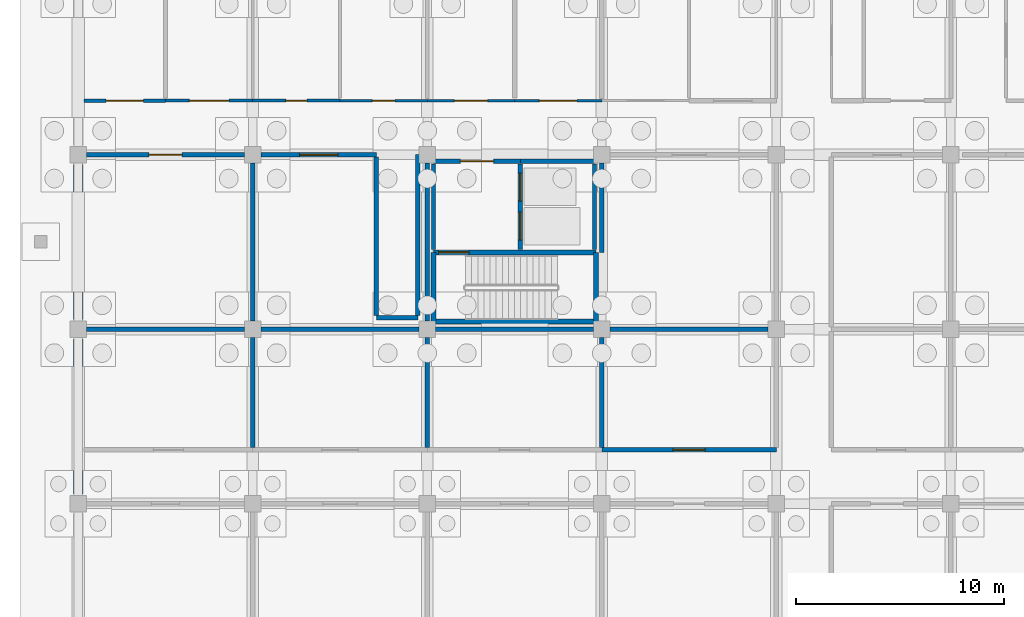
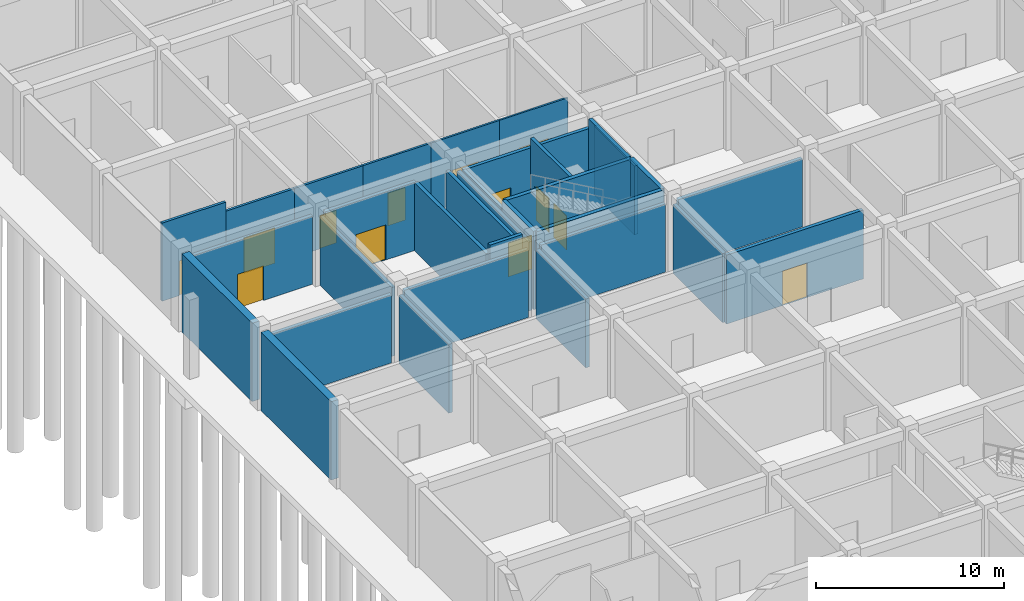
# One storey, part 30 of 65: 33 walls, 13 doors, 13 openings.
"""IFC4 building model written with IfcOpenShell, lengths in metres."""

from ifc_helpers import new_model, si_unit, direction, frame, frame_2d, origin, place, context, subcontext, project, spatial, rectangle, extrude, material, layer, layer_set, type_object, element, fill, save


model = new_model("IFC4")

# Units and contexts
model_context = context("Model", 3, precision=1e-05, world=origin(), true_north=direction((0.0, 1.0)))
body_context = subcontext(model_context, "Body", "Model", "MODEL_VIEW")
ifc_project = project(units=[si_unit("LENGTHUNIT", "METRE"), si_unit("AREAUNIT", "SQUARE_METRE"), si_unit("VOLUMEUNIT", "CUBIC_METRE"), si_unit("PLANEANGLEUNIT", "RADIAN"), si_unit("MASSUNIT", "GRAM", prefix="KILO")], contexts=[model_context])

# Site, building, storey
site_placement = place(None, origin())
site = spatial("IfcSite", under=ifc_project, at=site_placement, CompositionType="ELEMENT")
building_placement = place(site_placement, origin())
building = spatial("IfcBuilding", under=site, at=building_placement, Name="Bramfleet General Hospital", CompositionType="ELEMENT")
storey_placement = place(building_placement, frame((0.0, 0.0, -5.39990234375)))
storey = spatial("IfcBuildingStorey", under=building, at=storey_placement, Name="B1", CompositionType="ELEMENT", Elevation=-5.39990234375)

# Walls
ifc_material_1 = material(Name="Concrete C35/45", Category="concrete")
ifc_layer_1 = layer(ifc_material_1, 0.449951171875, Name="WT-EW-01")
ifc_layer_set_1 = layer_set([ifc_layer_1], Name="Concrete C35/45")
wall_type_1 = type_object("IfcWallType", Name="WT-EW-01", PredefinedType="SOLIDWALL", material=ifc_layer_set_1)
for number, where, z_axis, x_axis, name in (
    (1, (0.0, 42.47509765625, 0.0), (0.0, 0.0, 1.0), (0.0, 1.0, 0.0), "B1 Waterproof Retaining Wall 95"),
    (2, (0.0, 50.875, 0.0), (0.0, 0.0, 1.0), (0.0, 1.0, 0.0), "B1 Waterproof Retaining Wall 96"),
):
    element("IfcWall", number, at=place(storey_placement, frame(where, z_axis=z_axis, x_axis=x_axis)), inside=storey, type_object=wall_type_1, Name=name, PredefinedType="SOLIDWALL", context=body_context, shape_type="SweptSolid", body=[
        extrude(rectangle(XDim=7.449951171875, YDim=0.449951171875, at=frame_2d((3.72509765625, 0.0))), origin(), (0.0, 0.0, 1.0), 5.079833984375),
    ])

# Wall, opening, door
ifc_layer_2 = layer(ifc_material_1, 0.219970703125, Name="WT-IW-01")
ifc_layer_set_2 = layer_set([ifc_layer_2], Name="Concrete C35/45")
wall_type_2 = type_object("IfcWallType", Name="WT-IW-01", PredefinedType="PARTITIONING", material=ifc_layer_set_2)
wall_1_placement = place(storey_placement, frame((25.199951171875, 44.60009765625, 0.0), z_axis=(0.0, 0.0, 1.0), x_axis=(1.0, 0.0, 0.0)))
wall_1 = element("IfcWall", 3, at=wall_1_placement, inside=storey, type_object=wall_type_2, Name="B1 Interior Partition IW-B1-0136", PredefinedType="PARTITIONING", context=body_context, shape_type="SweptSolid", body=[
    extrude(rectangle(XDim=8.400146484375, YDim=0.219970703125, at=frame_2d((4.2001953125, 0.0))), origin(), (0.0, 0.0, 1.0), 4.469970703125),
])
opening_1_placement = place(wall_1_placement, frame((3.429931640625, 0.0, 0.0)))
opening_1 = element("IfcOpeningElement", 4, at=opening_1_placement, cuts=wall_1, Name="Opening D0241", PredefinedType="OPENING", context=body_context, shape_type="SweptSolid", body=[
    extrude(rectangle(XDim=1.5400390625, YDim=2.239990234375, at=frame_2d((0.77001953125, 1.1201171875))), frame((0.0, 0.119873046875, 0.0), z_axis=(0.0, -1.0, 0.0), x_axis=(1.0, 0.0, 0.0)), (0.0, 0.0, 1.0), 0.239990234375),
])
ifc_material_2 = material(Name="Stainless steel and acoustic timber leaf", Category="steel")
door_type_1 = type_object("IfcDoorType", Name="DR-D-17", OperationType="NOTDEFINED", PredefinedType="DOOR", material=ifc_material_2)
door_1_placement = place(opening_1_placement, origin())
door_1 = element("IfcDoor", 5, at=door_1_placement, inside=storey, type_object=door_type_1, Name="Central Sterile Supply Room B1-0305 Door D0241", OperationType="SINGLE_SWING_RIGHT", OverallHeight=2.239990234375, OverallWidth=1.5400390625, PredefinedType="DOOR", context=body_context, shape_type="SweptSolid", body=[
    extrude(rectangle(XDim=1.5400390625, YDim=2.239990234375, at=frame_2d((0.77001953125, 1.1201171875))), frame((0.0, 0.02490234375, 0.0), z_axis=(0.0, -1.0, 0.0), x_axis=(1.0, 0.0, 0.0)), (0.0, 0.0, 1.0), 0.050048828125),
])
fill(opening_1, door_1)

# Walls
wall_2_placement = place(storey_placement, frame((0.39501953125, 50.39990234375, 0.0), z_axis=(0.0, 0.0, 1.0), x_axis=(1.0, 0.0, 0.0)))
element("IfcWall", 6, at=wall_2_placement, inside=storey, type_object=wall_type_2, Name="B1 Interior Partition IW-B1-0142", PredefinedType="PARTITIONING", context=body_context, shape_type="SweptSolid", body=[
    extrude(rectangle(XDim=7.60986328125, YDim=0.219970703125, at=frame_2d((3.804931640625, 0.0))), origin(), (0.0, 0.0, 1.0), 4.419921875),
])
wall_3_placement = place(storey_placement, frame((8.794921875, 50.39990234375, 0.0), z_axis=(0.0, 0.0, 1.0), x_axis=(1.0, 0.0, 0.0)))
element("IfcWall", 7, at=wall_3_placement, inside=storey, type_object=wall_type_2, Name="B1 Interior Partition IW-B1-0143", PredefinedType="PARTITIONING", context=body_context, shape_type="SweptSolid", body=[
    extrude(rectangle(XDim=7.610107421875, YDim=0.219970703125, at=frame_2d((3.80517578125, 0.0))), origin(), (0.0, 0.0, 1.0), 4.419921875),
])
wall_4_placement = place(storey_placement, frame((17.195068359375, 50.39990234375, 0.0), z_axis=(0.0, 0.0, 1.0), x_axis=(1.0, 0.0, 0.0)))
element("IfcWall", 8, at=wall_4_placement, inside=storey, type_object=wall_type_2, Name="B1 Interior Partition IW-B1-0144", PredefinedType="PARTITIONING", context=body_context, shape_type="SweptSolid", body=[
    extrude(rectangle(XDim=7.60986328125, YDim=0.219970703125, at=frame_2d((3.804931640625, 0.0))), origin(), (0.0, 0.0, 1.0), 4.419921875),
])
wall_5_placement = place(storey_placement, frame((25.594970703125, 50.39990234375, 0.0), z_axis=(0.0, 0.0, 1.0), x_axis=(1.0, 0.0, 0.0)))
element("IfcWall", 9, at=wall_5_placement, inside=storey, type_object=wall_type_2, Name="B1 Interior Partition IW-B1-0145", PredefinedType="PARTITIONING", context=body_context, shape_type="SweptSolid", body=[
    extrude(rectangle(XDim=7.610107421875, YDim=0.219970703125, at=frame_2d((3.80517578125, 0.0))), origin(), (0.0, 0.0, 1.0), 4.419921875),
])
wall_6_placement = place(storey_placement, frame((14.35009765625, 50.949951171875, 0.0), z_axis=(0.0, 0.0, 1.0), x_axis=(1.0, 0.0, 0.0)))
element("IfcWall", 10, at=wall_6_placement, inside=storey, type_object=wall_type_2, Name="B1 Interior Partition IW-B1-0151", PredefinedType="PARTITIONING", context=body_context, shape_type="SweptSolid", body=[
    extrude(rectangle(XDim=2.0, YDim=0.219970703125, at=frame_2d((1.0, 0.0))), origin(), (0.0, 0.0, 1.0), 5.06982421875),
])

# Wall, opening, door
wall_7_placement = place(storey_placement, frame((0.39501953125, 58.800048828125, 0.0), z_axis=(0.0, 0.0, 1.0), x_axis=(1.0, 0.0, 0.0)))
wall_7 = element("IfcWall", 11, at=wall_7_placement, inside=storey, type_object=wall_type_2, Name="B1 Interior Partition IW-B1-0152", PredefinedType="PARTITIONING", context=body_context, shape_type="SweptSolid", body=[
    extrude(rectangle(XDim=7.60986328125, YDim=0.219970703125, at=frame_2d((3.804931640625, 0.0))), origin(), (0.0, 0.0, 1.0), 4.419921875),
])
opening_2_placement = place(wall_7_placement, frame((3.0048828125, 0.0, 0.0)))
opening_2 = element("IfcOpeningElement", 12, at=opening_2_placement, cuts=wall_7, Name="Opening D0196", PredefinedType="OPENING", context=body_context, shape_type="SweptSolid", body=[
    extrude(rectangle(XDim=1.60009765625, YDim=2.25, at=frame_2d((0.800048828125, 1.125))), frame((0.0, 0.119873046875, 0.0), z_axis=(0.0, -1.0, 0.0), x_axis=(1.0, 0.0, 0.0)), (0.0, 0.0, 1.0), 0.239990234375),
])
door_type_2 = type_object("IfcDoorType", Name="DR-D-04", OperationType="NOTDEFINED", PredefinedType="DOOR", material=ifc_material_2)
door_2_placement = place(opening_2_placement, origin())
door_2 = element("IfcDoor", 13, at=door_2_placement, inside=storey, type_object=door_type_2, Name="Central Sterile Supply Room B1-0006 Door D0196", OperationType="DOUBLE_SWING_LEFT", OverallHeight=2.25, OverallWidth=1.60009765625, PredefinedType="DOOR", context=body_context, shape_type="SweptSolid", body=[
    extrude(rectangle(XDim=1.60009765625, YDim=2.25, at=frame_2d((0.800048828125, 1.125))), frame((0.0, 0.02490234375, 0.0), z_axis=(0.0, -1.0, 0.0), x_axis=(1.0, 0.0, 0.0)), (0.0, 0.0, 1.0), 0.050048828125),
])
fill(opening_2, door_2)

wall_8_placement = place(storey_placement, frame((8.794921875, 58.800048828125, 0.0), z_axis=(0.0, 0.0, 1.0), x_axis=(1.0, 0.0, 0.0)))
wall_8 = element("IfcWall", 14, at=wall_8_placement, inside=storey, type_object=wall_type_2, Name="B1 Interior Partition IW-B1-0153", PredefinedType="PARTITIONING", context=body_context, shape_type="SweptSolid", body=[
    extrude(rectangle(XDim=5.55517578125, YDim=0.219970703125, at=frame_2d((2.777587890625, 0.0))), origin(), (0.0, 0.0, 1.0), 4.419921875),
])
opening_3_placement = place(wall_8_placement, frame((1.857421875, 0.0, 0.0)))
opening_3 = element("IfcOpeningElement", 15, at=opening_3_placement, cuts=wall_8, Name="Opening D0212", PredefinedType="OPENING", context=body_context, shape_type="SweptSolid", body=[
    extrude(rectangle(XDim=1.840087890625, YDim=2.280029296875, at=frame_2d((0.919921875, 1.14013671875))), frame((0.0, 0.119873046875, 0.0), z_axis=(0.0, -1.0, 0.0), x_axis=(1.0, 0.0, 0.0)), (0.0, 0.0, 1.0), 0.239990234375),
])
door_type_3 = type_object("IfcDoorType", Name="DR-D-20", OperationType="NOTDEFINED", PredefinedType="DOOR", material=ifc_material_2)
door_3_placement = place(opening_3_placement, origin())
door_3 = element("IfcDoor", 16, at=door_3_placement, inside=storey, type_object=door_type_3, Name="Central Sterile Supply Room B1-0106 Door D0212", OperationType="DOUBLE_SWING_LEFT", OverallHeight=2.280029296875, OverallWidth=1.840087890625, PredefinedType="DOOR", context=body_context, shape_type="SweptSolid", body=[
    extrude(rectangle(XDim=1.840087890625, YDim=2.280029296875, at=frame_2d((0.919921875, 1.14013671875))), frame((0.0, 0.02490234375, 0.0), z_axis=(0.0, -1.0, 0.0), x_axis=(1.0, 0.0, 0.0)), (0.0, 0.0, 1.0), 0.050048828125),
])
fill(opening_3, door_3)

# Walls
wall_9_placement = place(storey_placement, frame((8.39990234375, 44.715087890625, 0.0), z_axis=(0.0, 0.0, 1.0), x_axis=(0.0, 1.0, 0.0)))
element("IfcWall", 17, at=wall_9_placement, inside=storey, type_object=wall_type_2, Name="B1 Interior Partition IW-B1-0334", PredefinedType="PARTITIONING", context=body_context, shape_type="SweptSolid", body=[
    extrude(rectangle(XDim=5.289794921875, YDim=0.219970703125, at=frame_2d((2.64501953125, 0.0))), origin(), (0.0, 0.0, 1.0), 4.469970703125),
])
wall_10_placement = place(storey_placement, frame((8.39990234375, 50.794921875, 0.0), z_axis=(0.0, 0.0, 1.0), x_axis=(0.0, 1.0, 0.0)))
element("IfcWall", 18, at=wall_10_placement, inside=storey, type_object=wall_type_2, Name="B1 Interior Partition IW-B1-0335", PredefinedType="PARTITIONING", context=body_context, shape_type="SweptSolid", body=[
    extrude(rectangle(XDim=7.610107421875, YDim=0.219970703125, at=frame_2d((3.80517578125, 0.0))), origin(), (0.0, 0.0, 1.0), 4.469970703125),
])
wall_11_placement = place(storey_placement, frame((14.35009765625, 51.06494140625, 0.0), z_axis=(0.0, 0.0, 1.0), x_axis=(0.0, 1.0, 0.0)))
element("IfcWall", 19, at=wall_11_placement, inside=storey, type_object=wall_type_2, Name="B1 Interior Partition IW-B1-0345", PredefinedType="PARTITIONING", context=body_context, shape_type="SweptSolid", body=[
    extrude(rectangle(XDim=7.6201171875, YDim=0.219970703125, at=frame_2d((3.81005859375, 0.0))), origin(), (0.0, 0.0, 1.0), 4.419921875),
])
wall_12_placement = place(storey_placement, frame((16.35009765625, 51.06494140625, 0.0), z_axis=(0.0, 0.0, 1.0), x_axis=(0.0, 1.0, 0.0)))
element("IfcWall", 20, at=wall_12_placement, inside=storey, type_object=wall_type_2, Name="B1 Interior Partition IW-B1-0346", PredefinedType="PARTITIONING", context=body_context, shape_type="SweptSolid", body=[
    extrude(rectangle(XDim=7.735107421875, YDim=0.219970703125, at=frame_2d((3.86767578125, 0.0))), origin(), (0.0, 0.0, 1.0), 4.419921875),
])
wall_13_placement = place(storey_placement, frame((16.800048828125, 44.715087890625, 0.0), z_axis=(0.0, 0.0, 1.0), x_axis=(0.0, 1.0, 0.0)))
element("IfcWall", 21, at=wall_13_placement, inside=storey, type_object=wall_type_2, Name="B1 Interior Partition IW-B1-0352", PredefinedType="PARTITIONING", context=body_context, shape_type="SweptSolid", body=[
    extrude(rectangle(XDim=5.289794921875, YDim=0.219970703125, at=frame_2d((2.64501953125, 0.0))), origin(), (0.0, 0.0, 1.0), 4.469970703125),
])
wall_14_placement = place(storey_placement, frame((16.800048828125, 50.794921875, 0.0), z_axis=(0.0, 0.0, 1.0), x_axis=(0.0, 1.0, 0.0)))
element("IfcWall", 22, at=wall_14_placement, inside=storey, type_object=wall_type_2, Name="B1 Interior Partition IW-B1-0353", PredefinedType="PARTITIONING", context=body_context, shape_type="SweptSolid", body=[
    extrude(rectangle(XDim=7.610107421875, YDim=0.219970703125, at=frame_2d((3.80517578125, 0.0))), origin(), (0.0, 0.0, 1.0), 4.469970703125),
])
wall_15_placement = place(storey_placement, frame((25.199951171875, 44.715087890625, 0.0), z_axis=(0.0, 0.0, 1.0), x_axis=(0.0, 1.0, 0.0)))
element("IfcWall", 23, at=wall_15_placement, inside=storey, type_object=wall_type_2, Name="B1 Interior Partition IW-B1-0372", PredefinedType="PARTITIONING", context=body_context, shape_type="SweptSolid", body=[
    extrude(rectangle(XDim=5.289794921875, YDim=0.219970703125, at=frame_2d((2.64501953125, 0.0))), origin(), (0.0, 0.0, 1.0), 4.469970703125),
])
wall_16_placement = place(storey_placement, frame((25.199951171875, 54.10009765625, 0.0), z_axis=(0.0, 0.0, 1.0), x_axis=(0.0, 1.0, 0.0)))
element("IfcWall", 24, at=wall_16_placement, inside=storey, type_object=wall_type_2, Name="B1 Interior Partition IW-B1-0373", PredefinedType="PARTITIONING", context=body_context, shape_type="SweptSolid", body=[
    extrude(rectangle(XDim=4.304931640625, YDim=0.219970703125, at=frame_2d((2.15234375, 0.0))), origin(), (0.0, 0.0, 1.0), 4.469970703125),
])

# Wall, openings, doors
ifc_layer_3 = layer(ifc_material_1, 0.205078125, Name="WT-IW-02")
ifc_layer_set_3 = layer_set([ifc_layer_3], Name="Concrete C35/45")
wall_type_3 = type_object("IfcWallType", Name="WT-IW-02", PredefinedType="PARTITIONING", material=ifc_layer_set_3)
wall_17_placement = place(storey_placement, frame((21.280029296875, 54.239990234375, 0.0), z_axis=(0.0, 0.0, 1.0), x_axis=(0.0, 1.0, 0.0)))
wall_17 = element("IfcWall", 25, at=wall_17_placement, inside=storey, type_object=wall_type_3, Name="B1 C2 Lobby East Shaft Wall", PredefinedType="PARTITIONING", context=body_context, shape_type="SweptSolid", body=[
    extrude(rectangle(XDim=4.1201171875, YDim=0.205078125, at=frame_2d((2.06005859375, 0.0))), origin(), (0.0, 0.0, 1.0), 5.06982421875),
])
opening_4_placement = place(wall_17_placement, frame((0.445068359375, 0.0, 0.0)))
opening_4 = element("IfcOpeningElement", 26, at=opening_4_placement, cuts=wall_17, Name="Opening LD-BL-01-B1", PredefinedType="OPENING", context=body_context, shape_type="SweptSolid", body=[
    extrude(rectangle(XDim=1.35009765625, YDim=2.199951171875, at=frame_2d((0.675048828125, 1.10009765625))), frame((0.0, 0.112548828125, 0.0), z_axis=(0.0, -1.0, 0.0), x_axis=(1.0, 0.0, 0.0)), (0.0, 0.0, 1.0), 0.22509765625),
])
opening_5_placement = place(wall_17_placement, frame((2.324951171875, 0.0, 0.0)))
opening_5 = element("IfcOpeningElement", 27, at=opening_5_placement, cuts=wall_17, Name="Opening LD-GL-01-B1", PredefinedType="OPENING", context=body_context, shape_type="SweptSolid", body=[
    extrude(rectangle(XDim=1.35009765625, YDim=2.199951171875, at=frame_2d((0.675048828125, 1.10009765625))), frame((0.0, 0.112548828125, 0.0), z_axis=(0.0, -1.0, 0.0), x_axis=(1.0, 0.0, 0.0)), (0.0, 0.0, 1.0), 0.22509765625),
])
ifc_material_3 = material(Name="Brushed stainless steel 1.4301", Category="steel")
door_type_4 = type_object("IfcDoorType", Name="DR-LD-01", OperationType="NOTDEFINED", PredefinedType="DOOR", material=ifc_material_3)
door_4_placement = place(opening_4_placement, origin())
door_4 = element("IfcDoor", 28, at=door_4_placement, inside=storey, type_object=door_type_4, Name="B1 Lift BL-01 Sliding Landing Door", OperationType="SLIDING_TO_LEFT", OverallHeight=2.199951171875, OverallWidth=1.35009765625, PredefinedType="DOOR", context=body_context, shape_type="SweptSolid", body=[
    extrude(rectangle(XDim=1.35009765625, YDim=2.199951171875, at=frame_2d((0.675048828125, 1.10009765625))), frame((0.0, 0.02490234375, 0.0), z_axis=(0.0, -1.0, 0.0), x_axis=(1.0, 0.0, 0.0)), (0.0, 0.0, 1.0), 0.050048828125),
])
fill(opening_4, door_4)
door_5_placement = place(opening_5_placement, origin())
door_5 = element("IfcDoor", 29, at=door_5_placement, inside=storey, type_object=door_type_4, Name="B1 Lift GL-01 Sliding Landing Door", OperationType="SLIDING_TO_LEFT", OverallHeight=2.199951171875, OverallWidth=1.35009765625, PredefinedType="DOOR", context=body_context, shape_type="SweptSolid", body=[
    extrude(rectangle(XDim=1.35009765625, YDim=2.199951171875, at=frame_2d((0.675048828125, 1.10009765625))), frame((0.0, 0.02490234375, 0.0), z_axis=(0.0, -1.0, 0.0), x_axis=(1.0, 0.0, 0.0)), (0.0, 0.0, 1.0), 0.050048828125),
])
fill(opening_5, door_5)

# Walls
wall_18_placement = place(storey_placement, frame((24.85009765625, 54.239990234375, 0.0), z_axis=(0.0, 0.0, 1.0), x_axis=(0.0, 1.0, 0.0)))
element("IfcWall", 30, at=wall_18_placement, inside=storey, type_object=wall_type_3, Name="B1 C2 Lift Shaft East Wall", PredefinedType="PARTITIONING", context=body_context, shape_type="SweptSolid", body=[
    extrude(rectangle(XDim=4.1201171875, YDim=0.205078125, at=frame_2d((2.06005859375, 0.0))), origin(), (0.0, 0.0, 1.0), 5.06982421875),
])
wall_19_placement = place(storey_placement, frame((21.280029296875, 58.47998046875, 0.0), z_axis=(0.0, 0.0, 1.0), x_axis=(1.0, 0.0, 0.0)))
element("IfcWall", 31, at=wall_19_placement, inside=storey, type_object=wall_type_3, Name="B1 C2 Lift Shaft North Wall", PredefinedType="PARTITIONING", context=body_context, shape_type="SweptSolid", body=[
    extrude(rectangle(XDim=3.570068359375, YDim=0.205078125, at=frame_2d((1.78515625, 0.0))), origin(), (0.0, 0.0, 1.0), 4.419921875),
])
wall_20_placement = place(storey_placement, frame((17.10009765625, 54.239990234375, 0.0), z_axis=(0.0, 0.0, 1.0), x_axis=(0.0, 1.0, 0.0)))
element("IfcWall", 32, at=wall_20_placement, inside=storey, type_object=wall_type_3, Name="B1 C2 Lobby West Compartment Wall", PredefinedType="PARTITIONING", context=body_context, shape_type="SweptSolid", body=[
    extrude(rectangle(XDim=4.1201171875, YDim=0.205078125, at=frame_2d((2.06005859375, 0.0))), origin(), (0.0, 0.0, 1.0), 4.469970703125),
])

# Wall, opening, door
wall_21_placement = place(storey_placement, frame((17.10009765625, 58.47998046875, 0.0), z_axis=(0.0, 0.0, 1.0), x_axis=(1.0, 0.0, 0.0)))
wall_21 = element("IfcWall", 33, at=wall_21_placement, inside=storey, type_object=wall_type_3, Name="B1 C2 Lobby North Compartment Wall", PredefinedType="PARTITIONING", context=body_context, shape_type="SweptSolid", body=[
    extrude(rectangle(XDim=4.179931640625, YDim=0.205078125, at=frame_2d((2.08984375, 0.0))), origin(), (0.0, 0.0, 1.0), 4.419921875),
])
opening_6_placement = place(wall_21_placement, frame((1.2900390625, 0.0, 0.0)))
opening_6 = element("IfcOpeningElement", 34, at=opening_6_placement, cuts=wall_21, Name="Opening D0010", PredefinedType="OPENING", context=body_context, shape_type="SweptSolid", body=[
    extrude(rectangle(XDim=1.60009765625, YDim=2.25, at=frame_2d((0.800048828125, 1.125))), frame((0.0, 0.112548828125, 0.0), z_axis=(0.0, -1.0, 0.0), x_axis=(1.0, 0.0, 0.0)), (0.0, 0.0, 1.0), 0.22509765625),
])
door_6_placement = place(opening_6_placement, origin())
door_6 = element("IfcDoor", 35, at=door_6_placement, inside=storey, type_object=door_type_2, Name="B1 C2 Lobby Fire Door D0010", OperationType="DOUBLE_SWING_LEFT", OverallHeight=2.25, OverallWidth=1.60009765625, PredefinedType="DOOR", context=body_context, shape_type="SweptSolid", body=[
    extrude(rectangle(XDim=1.60009765625, YDim=2.25, at=frame_2d((0.800048828125, 1.125))), frame((0.0, 0.02490234375, 0.0), z_axis=(0.0, -1.0, 0.0), x_axis=(1.0, 0.0, 0.0)), (0.0, 0.0, 1.0), 0.050048828125),
])
fill(opening_6, door_6)

ifc_material_4 = material(Name="Gypsum plasterboard on acoustic steel studs", Category="steel")
ifc_layer_4 = layer(ifc_material_4, 0.159912109375, Name="WT-IW-06")
ifc_layer_set_4 = layer_set([ifc_layer_4], Name="Gypsum plasterboard on acoustic steel studs")
wall_type_4 = type_object("IfcWallType", Name="WT-IW-06", PredefinedType="PARTITIONING", material=ifc_layer_set_4)
wall_22_placement = place(storey_placement, frame((0.280029296875, 61.39990234375, 0.0), z_axis=(0.0, 0.0, 1.0), x_axis=(1.0, 0.0, 0.0)))
wall_22 = element("IfcWall", 36, at=wall_22_placement, inside=storey, type_object=wall_type_4, Name="B1 Interior Partition IW-B1-0162", PredefinedType="PARTITIONING", context=body_context, shape_type="SweptSolid", body=[
    extrude(rectangle(XDim=3.919921875, YDim=0.159912109375, at=frame_2d((1.9599609375, 0.0))), origin(), (0.0, 0.0, 1.0), 5.06982421875),
])
opening_7_placement = place(wall_22_placement, frame((1.06005859375, 0.0, 0.0)))
opening_7 = element("IfcOpeningElement", 37, at=opening_7_placement, cuts=wall_22, Name="Opening D0197", PredefinedType="OPENING", context=body_context, shape_type="SweptSolid", body=[
    extrude(rectangle(XDim=1.800048828125, YDim=2.25, at=frame_2d((0.89990234375, 1.125))), frame((0.0, 0.08984375, 0.0), z_axis=(0.0, -1.0, 0.0), x_axis=(1.0, 0.0, 0.0)), (0.0, 0.0, 1.0), 0.179931640625),
])
door_type_5 = type_object("IfcDoorType", Name="DR-D-05", OperationType="NOTDEFINED", PredefinedType="DOOR", material=ifc_material_2)
door_7_placement = place(opening_7_placement, origin())
door_7 = element("IfcDoor", 38, at=door_7_placement, inside=storey, type_object=door_type_5, Name="Clean Medical Supply Store B1-0007 Door D0197", OperationType="DOUBLE_SWING_RIGHT", OverallHeight=2.25, OverallWidth=1.800048828125, PredefinedType="DOOR", context=body_context, shape_type="SweptSolid", body=[
    extrude(rectangle(XDim=1.800048828125, YDim=2.25, at=frame_2d((0.89990234375, 1.125))), frame((0.0, 0.02490234375, 0.0), z_axis=(0.0, -1.0, 0.0), x_axis=(1.0, 0.0, 0.0)), (0.0, 0.0, 1.0), 0.050048828125),
])
fill(opening_7, door_7)

ifc_layer_5 = layer(ifc_material_4, 0.14990234375, Name="WT-IW-07")
ifc_layer_set_5 = layer_set([ifc_layer_5], Name="Gypsum plasterboard on acoustic steel studs")
wall_type_5 = type_object("IfcWallType", Name="WT-IW-07", PredefinedType="PARTITIONING", material=ifc_layer_set_5)
wall_23_placement = place(storey_placement, frame((4.199951171875, 61.39990234375, 0.0), z_axis=(0.0, 0.0, 1.0), x_axis=(1.0, 0.0, 0.0)))
wall_23 = element("IfcWall", 39, at=wall_23_placement, inside=storey, type_object=wall_type_5, Name="B1 Interior Partition IW-B1-0163", PredefinedType="PARTITIONING", context=body_context, shape_type="SweptSolid", body=[
    extrude(rectangle(XDim=4.199951171875, YDim=0.14990234375, at=frame_2d((2.10009765625, 0.0))), origin(), (0.0, 0.0, 1.0), 4.469970703125),
])
opening_8_placement = place(wall_23_placement, frame((1.14990234375, 0.0, 0.0)))
opening_8 = element("IfcOpeningElement", 40, at=opening_8_placement, cuts=wall_23, Name="Opening D0198", PredefinedType="OPENING", context=body_context, shape_type="SweptSolid", body=[
    extrude(rectangle(XDim=1.89990234375, YDim=2.300048828125, at=frame_2d((0.949951171875, 1.14990234375))), frame((0.0, 0.0849609375, 0.0), z_axis=(0.0, -1.0, 0.0), x_axis=(1.0, 0.0, 0.0)), (0.0, 0.0, 1.0), 0.169921875),
])
door_type_6 = type_object("IfcDoorType", Name="DR-D-06", OperationType="NOTDEFINED", PredefinedType="DOOR", material=ifc_material_2)
door_8_placement = place(opening_8_placement, origin())
door_8 = element("IfcDoor", 41, at=door_8_placement, inside=storey, type_object=door_type_6, Name="Clinical Engineering Workshop B1-0007 Door D0198", OperationType="DOUBLE_SWING_LEFT", OverallHeight=2.300048828125, OverallWidth=1.89990234375, PredefinedType="DOOR", context=body_context, shape_type="SweptSolid", body=[
    extrude(rectangle(XDim=1.89990234375, YDim=2.300048828125, at=frame_2d((0.949951171875, 1.14990234375))), frame((0.0, 0.02490234375, 0.0), z_axis=(0.0, -1.0, 0.0), x_axis=(1.0, 0.0, 0.0)), (0.0, 0.0, 1.0), 0.050048828125),
])
fill(opening_8, door_8)

ifc_layer_6 = layer(ifc_material_4, 0.139892578125, Name="WT-IW-08")
ifc_layer_set_6 = layer_set([ifc_layer_6], Name="Gypsum plasterboard on acoustic steel studs")
wall_type_6 = type_object("IfcWallType", Name="WT-IW-08", PredefinedType="PARTITIONING", material=ifc_layer_set_6)
wall_24_placement = place(storey_placement, frame((8.39990234375, 61.39990234375, 0.0), z_axis=(0.0, 0.0, 1.0), x_axis=(1.0, 0.0, 0.0)))
wall_24 = element("IfcWall", 42, at=wall_24_placement, inside=storey, type_object=wall_type_6, Name="B1 Interior Partition IW-B1-0164", PredefinedType="PARTITIONING", context=body_context, shape_type="SweptSolid", body=[
    extrude(rectangle(XDim=4.2001953125, YDim=0.139892578125, at=frame_2d((2.10009765625, 0.0))), origin(), (0.0, 0.0, 1.0), 4.469970703125),
])
opening_9_placement = place(wall_24_placement, frame((1.590087890625, 0.0, 0.0)))
opening_9 = element("IfcOpeningElement", 43, at=opening_9_placement, cuts=wall_24, Name="Opening D0213", PredefinedType="OPENING", context=body_context, shape_type="SweptSolid", body=[
    extrude(rectangle(XDim=1.02001953125, YDim=2.1201171875, at=frame_2d((0.510009765625, 1.06005859375))), frame((0.0, 0.079833984375, 0.0), z_axis=(0.0, -1.0, 0.0), x_axis=(1.0, 0.0, 0.0)), (0.0, 0.0, 1.0), 0.159912109375),
])
door_type_7 = type_object("IfcDoorType", Name="DR-D-21", OperationType="NOTDEFINED", PredefinedType="DOOR", material=ifc_material_2)
door_9_placement = place(opening_9_placement, origin())
door_9 = element("IfcDoor", 44, at=door_9_placement, inside=storey, type_object=door_type_7, Name="Clean Medical Supply Store B1-0107 Door D0213", OperationType="SINGLE_SWING_RIGHT", OverallHeight=2.1201171875, OverallWidth=1.02001953125, PredefinedType="DOOR", context=body_context, shape_type="SweptSolid", body=[
    extrude(rectangle(XDim=1.02001953125, YDim=2.1201171875, at=frame_2d((0.510009765625, 1.06005859375))), frame((0.0, 0.02490234375, 0.0), z_axis=(0.0, -1.0, 0.0), x_axis=(1.0, 0.0, 0.0)), (0.0, 0.0, 1.0), 0.050048828125),
])
fill(opening_9, door_9)

ifc_layer_7 = layer(ifc_material_4, 0.1298828125, Name="WT-IW-09")
ifc_layer_set_7 = layer_set([ifc_layer_7], Name="Gypsum plasterboard on acoustic steel studs")
wall_type_7 = type_object("IfcWallType", Name="WT-IW-09", PredefinedType="PARTITIONING", material=ifc_layer_set_7)
wall_25_placement = place(storey_placement, frame((12.60009765625, 61.39990234375, 0.0), z_axis=(0.0, 0.0, 1.0), x_axis=(1.0, 0.0, 0.0)))
wall_25 = element("IfcWall", 45, at=wall_25_placement, inside=storey, type_object=wall_type_7, Name="B1 Interior Partition IW-B1-0165", PredefinedType="PARTITIONING", context=body_context, shape_type="SweptSolid", body=[
    extrude(rectangle(XDim=4.199951171875, YDim=0.1298828125, at=frame_2d((2.10009765625, 0.0))), origin(), (0.0, 0.0, 1.0), 4.469970703125),
])
opening_10_placement = place(wall_25_placement, frame((1.56005859375, 0.0, 0.0)))
opening_10 = element("IfcOpeningElement", 46, at=opening_10_placement, cuts=wall_25, Name="Opening D0214", PredefinedType="OPENING", context=body_context, shape_type="SweptSolid", body=[
    extrude(rectangle(XDim=1.080078125, YDim=2.1201171875, at=frame_2d((0.5400390625, 1.06005859375))), frame((0.0, 0.074951171875, 0.0), z_axis=(0.0, -1.0, 0.0), x_axis=(1.0, 0.0, 0.0)), (0.0, 0.0, 1.0), 0.14990234375),
])
door_type_8 = type_object("IfcDoorType", Name="DR-D-22", OperationType="NOTDEFINED", PredefinedType="DOOR", material=ifc_material_2)
door_10_placement = place(opening_10_placement, origin())
door_10 = element("IfcDoor", 47, at=door_10_placement, inside=storey, type_object=door_type_8, Name="Clinical Engineering Workshop B1-0107 Door D0214", OperationType="SINGLE_SWING_LEFT", OverallHeight=2.1201171875, OverallWidth=1.080078125, PredefinedType="DOOR", context=body_context, shape_type="SweptSolid", body=[
    extrude(rectangle(XDim=1.080078125, YDim=2.1201171875, at=frame_2d((0.5400390625, 1.06005859375))), frame((0.0, 0.02490234375, 0.0), z_axis=(0.0, -1.0, 0.0), x_axis=(1.0, 0.0, 0.0)), (0.0, 0.0, 1.0), 0.050048828125),
])
fill(opening_10, door_10)

ifc_layer_8 = layer(ifc_material_4, 0.1201171875, Name="WT-IW-10")
ifc_layer_set_8 = layer_set([ifc_layer_8], Name="Gypsum plasterboard on acoustic steel studs")
wall_type_8 = type_object("IfcWallType", Name="WT-IW-10", PredefinedType="PARTITIONING", material=ifc_layer_set_8)
wall_26_placement = place(storey_placement, frame((16.800048828125, 61.39990234375, 0.0), z_axis=(0.0, 0.0, 1.0), x_axis=(1.0, 0.0, 0.0)))
wall_26 = element("IfcWall", 48, at=wall_26_placement, inside=storey, type_object=wall_type_8, Name="B1 Interior Partition IW-B1-0166", PredefinedType="PARTITIONING", context=body_context, shape_type="SweptSolid", body=[
    extrude(rectangle(XDim=4.199951171875, YDim=0.1201171875, at=frame_2d((2.10009765625, 0.0))), origin(), (0.0, 0.0, 1.0), 4.469970703125),
])
opening_11_placement = place(wall_26_placement, frame((1.300048828125, 0.0, 0.0)))
opening_11 = element("IfcOpeningElement", 49, at=opening_11_placement, cuts=wall_26, Name="Opening D0228", PredefinedType="OPENING", context=body_context, shape_type="SweptSolid", body=[
    extrude(rectangle(XDim=1.60009765625, YDim=2.25, at=frame_2d((0.800048828125, 1.125))), frame((0.0, 0.070068359375, 0.0), z_axis=(0.0, -1.0, 0.0), x_axis=(1.0, 0.0, 0.0)), (0.0, 0.0, 1.0), 0.14013671875),
])
door_11_placement = place(opening_11_placement, origin())
door_11 = element("IfcDoor", 50, at=door_11_placement, inside=storey, type_object=door_type_2, Name="Clean Medical Supply Store B1-0207 Door D0228", OperationType="DOUBLE_SWING_LEFT", OverallHeight=2.25, OverallWidth=1.60009765625, PredefinedType="DOOR", context=body_context, shape_type="SweptSolid", body=[
    extrude(rectangle(XDim=1.60009765625, YDim=2.25, at=frame_2d((0.800048828125, 1.125))), frame((0.0, 0.02490234375, 0.0), z_axis=(0.0, -1.0, 0.0), x_axis=(1.0, 0.0, 0.0)), (0.0, 0.0, 1.0), 0.050048828125),
])
fill(opening_11, door_11)

ifc_layer_9 = layer(ifc_material_4, 0.112060546875, Name="WT-IW-11")
ifc_layer_set_9 = layer_set([ifc_layer_9], Name="Gypsum plasterboard on acoustic steel studs")
wall_type_9 = type_object("IfcWallType", Name="WT-IW-11", PredefinedType="PARTITIONING", material=ifc_layer_set_9)
wall_27_placement = place(storey_placement, frame((21.0, 61.39990234375, 0.0), z_axis=(0.0, 0.0, 1.0), x_axis=(1.0, 0.0, 0.0)))
wall_27 = element("IfcWall", 51, at=wall_27_placement, inside=storey, type_object=wall_type_9, Name="B1 Interior Partition IW-B1-0167", PredefinedType="PARTITIONING", context=body_context, shape_type="SweptSolid", body=[
    extrude(rectangle(XDim=4.199951171875, YDim=0.112060546875, at=frame_2d((2.10009765625, 0.0))), origin(), (0.0, 0.0, 1.0), 4.469970703125),
])
opening_12_placement = place(wall_27_placement, frame((1.199951171875, 0.0, 0.0)))
opening_12 = element("IfcOpeningElement", 52, at=opening_12_placement, cuts=wall_27, Name="Opening D0229", PredefinedType="OPENING", context=body_context, shape_type="SweptSolid", body=[
    extrude(rectangle(XDim=1.800048828125, YDim=2.25, at=frame_2d((0.89990234375, 1.125))), frame((0.0, 0.06591796875, 0.0), z_axis=(0.0, -1.0, 0.0), x_axis=(1.0, 0.0, 0.0)), (0.0, 0.0, 1.0), 0.132080078125),
])
door_12_placement = place(opening_12_placement, origin())
door_12 = element("IfcDoor", 53, at=door_12_placement, inside=storey, type_object=door_type_5, Name="Clinical Engineering Workshop B1-0207 Door D0229", OperationType="DOUBLE_SWING_RIGHT", OverallHeight=2.25, OverallWidth=1.800048828125, PredefinedType="DOOR", context=body_context, shape_type="SweptSolid", body=[
    extrude(rectangle(XDim=1.800048828125, YDim=2.25, at=frame_2d((0.89990234375, 1.125))), frame((0.0, 0.02490234375, 0.0), z_axis=(0.0, -1.0, 0.0), x_axis=(1.0, 0.0, 0.0)), (0.0, 0.0, 1.0), 0.050048828125),
])
fill(opening_12, door_12)

# Walls
ifc_material_5 = material(Name="Concrete C40/50", Category="concrete")
ifc_layer_10 = layer(ifc_material_5, 0.239990234375, Name="WT-SW-240")
ifc_layer_set_10 = layer_set([ifc_layer_10], Name="Concrete C40/50")
wall_type_10 = type_object("IfcWallType", Name="WT-SW-240", PredefinedType="SHEAR", material=ifc_layer_set_10)
wall_28_placement = place(storey_placement, frame((17.10009765625, 50.780029296875, 0.0), z_axis=(0.0, 0.0, 1.0), x_axis=(1.0, 0.0, 0.0)))
element("IfcWall", 54, at=wall_28_placement, inside=storey, type_object=wall_type_10, Name="B1 C2 South Stair Shear Wall", PredefinedType="SHEAR", context=body_context, shape_type="SweptSolid", body=[
    extrude(rectangle(XDim=7.81982421875, YDim=0.239990234375, at=frame_2d((3.909912109375, 0.0))), origin(), (0.0, 0.0, 1.0), 5.079833984375),
])
for number, where, z_axis, x_axis, name in (
    (55, (17.10009765625, 50.780029296875, 0.0), (0.0, 0.0, 1.0), (0.0, 1.0, 0.0), "B1 C2 West Stair Shear Wall"),
    (56, (24.919921875, 50.780029296875, 0.0), (0.0, 0.0, 1.0), (0.0, 1.0, 0.0), "B1 C2 East Stair Shear Wall"),
):
    element("IfcWall", number, at=place(storey_placement, frame(where, z_axis=z_axis, x_axis=x_axis)), inside=storey, type_object=wall_type_10, Name=name, PredefinedType="SHEAR", context=body_context, shape_type="SweptSolid", body=[
        extrude(rectangle(XDim=3.320068359375, YDim=0.239990234375, at=frame_2d((1.66015625, 0.0))), origin(), (0.0, 0.0, 1.0), 5.079833984375),
    ])

# Wall, opening, door
wall_29_placement = place(storey_placement, frame((17.10009765625, 54.10009765625, 0.0), z_axis=(0.0, 0.0, 1.0), x_axis=(1.0, 0.0, 0.0)))
wall_29 = element("IfcWall", 57, at=wall_29_placement, inside=storey, type_object=wall_type_10, Name="B1 C2 Stair-Lobby Shear Wall", PredefinedType="SHEAR", context=body_context, shape_type="SweptSolid", body=[
    extrude(rectangle(XDim=7.81982421875, YDim=0.239990234375, at=frame_2d((3.909912109375, 0.0))), origin(), (0.0, 0.0, 1.0), 5.079833984375),
])
opening_13_placement = place(wall_29_placement, frame((0.25, 0.0, 0.0)))
opening_13 = element("IfcOpeningElement", 58, at=opening_13_placement, cuts=wall_29, Name="Opening D0009", PredefinedType="OPENING", context=body_context, shape_type="SweptSolid", body=[
    extrude(rectangle(XDim=1.449951171875, YDim=2.199951171875, at=frame_2d((0.72509765625, 1.10009765625))), frame((0.0, 0.1298828125, 0.0), z_axis=(0.0, -1.0, 0.0), x_axis=(1.0, 0.0, 0.0)), (0.0, 0.0, 1.0), 0.260009765625),
])
door_type_9 = type_object("IfcDoorType", Name="DR-D-03", OperationType="NOTDEFINED", PredefinedType="DOOR", material=ifc_material_2)
door_13_placement = place(opening_13_placement, origin())
door_13 = element("IfcDoor", 59, at=door_13_placement, inside=storey, type_object=door_type_9, Name="B1 C2 Escape Stair Fire Door D0009", OperationType="SINGLE_SWING_RIGHT", OverallHeight=2.199951171875, OverallWidth=1.449951171875, PredefinedType="DOOR", context=body_context, shape_type="SweptSolid", body=[
    extrude(rectangle(XDim=1.449951171875, YDim=2.199951171875, at=frame_2d((0.72509765625, 1.10009765625))), frame((0.0, 0.02490234375, 0.0), z_axis=(0.0, -1.0, 0.0), x_axis=(1.0, 0.0, 0.0)), (0.0, 0.0, 1.0), 0.050048828125),
])
fill(opening_13, door_13)

save(model, "model.ifc")
